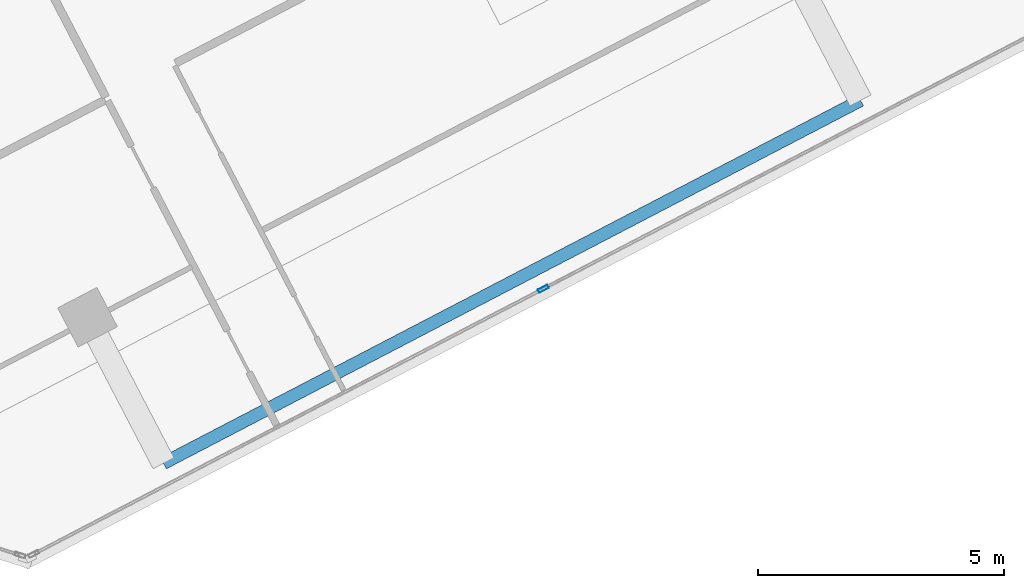
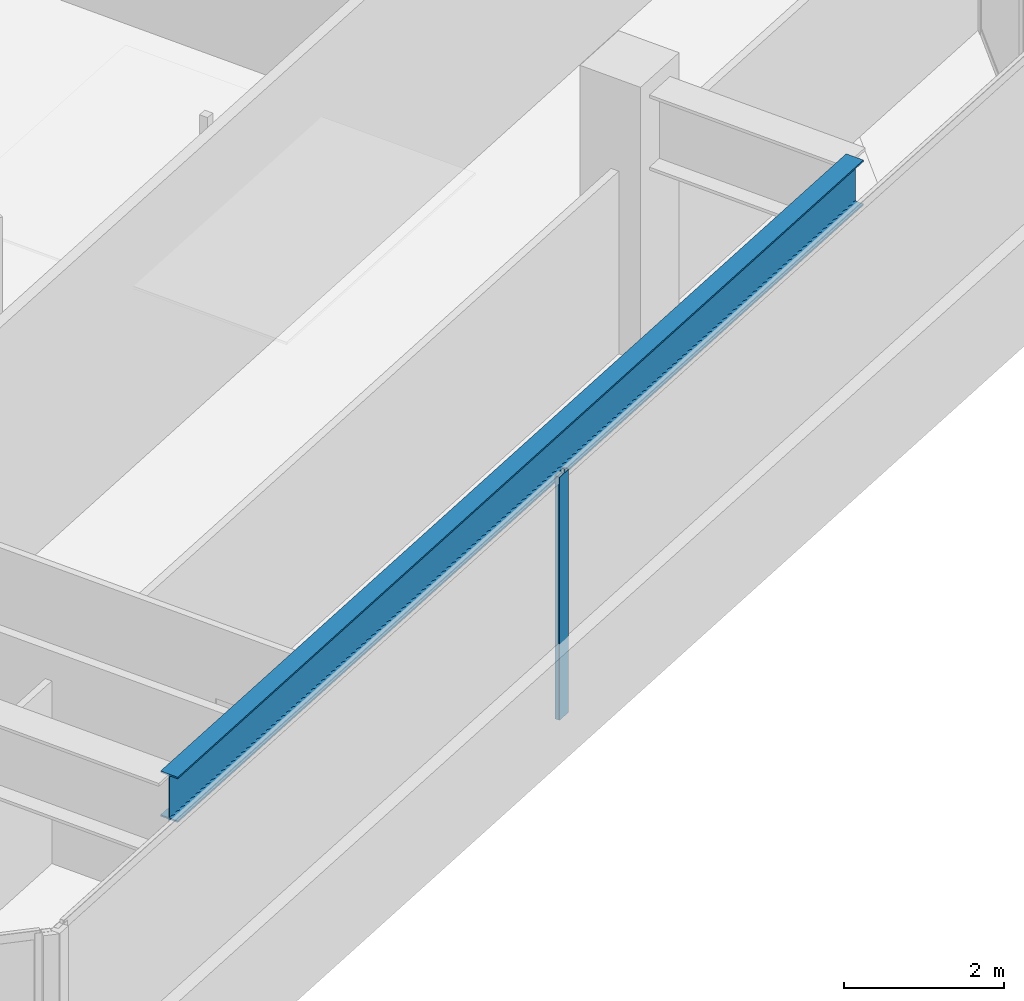
# One storey, part 4 of 16: 1 beam, 1 member, 1 element without a shape of its own.
"""IFC4 building model written with IfcOpenShell, lengths in metres."""

from ifc_helpers import new_model, si_unit, direction, frame, origin, origin_2d, place, context, subcontext, project, spatial, hollow_rectangle, i_section, extrude, source, transform, mapped, material, material_profile, profile_set, type_object, element, aggregate, save


model = new_model("IFC4")

# Units and contexts
model_context = context("Model", 3, precision=1e-05, world=origin(), true_north=direction((0.0, 1.0)))
body_context = subcontext(model_context, "Body", "Model", "MODEL_VIEW")
ifc_project = project(units=[si_unit("LENGTHUNIT", "METRE"), si_unit("AREAUNIT", "SQUARE_METRE"), si_unit("VOLUMEUNIT", "CUBIC_METRE"), si_unit("PLANEANGLEUNIT", "RADIAN"), si_unit("MASSUNIT", "GRAM", prefix="KILO")], contexts=[model_context])

# Site, building, storey
site_placement = place(None, origin())
site = spatial("IfcSite", under=ifc_project, at=site_placement, CompositionType="ELEMENT")
building_placement = place(site_placement, origin())
building = spatial("IfcBuilding", under=site, at=building_placement, Name="Torre Montelarca", CompositionType="ELEMENT")
storey_placement = place(building_placement, frame((0.0, 0.0, 328.199951171875)))
storey = spatial("IfcBuildingStorey", under=building, at=storey_placement, Name="L74", CompositionType="ELEMENT", Elevation=328.199951171875)

# Beam
ifc_material_1 = material(Name="Steel ASTM A992 Grade 50", Category="steel")
ifc_material_profile_1 = material_profile(ifc_material_1, i_section(OverallWidth=0.256103515625, OverallDepth=0.693115234375, WebThickness=0.014404296875, FlangeThickness=0.023681640625, FilletRadius=0.01806640625, at=origin_2d()), Name="W690X170", Category="steel")
ifc_profile_set_1 = profile_set([ifc_material_profile_1], Name="Steel ASTM A992 Grade 50")
beam_type = type_object("IfcBeamType", Name="BM-G-W690-EXT", PredefinedType="BEAM", material=ifc_profile_set_1)
shared_shape_1 = source(origin(), body_context, "Body", "SweptSolid", [
    extrude(i_section(OverallWidth=0.256103515625, OverallDepth=0.693115234375, WebThickness=0.014404296875, FlangeThickness=0.023681640625, FilletRadius=0.01806640625, at=origin_2d()), origin(), (0.0, 0.0, 1.0), 16.000244140625),
])
beam_placement = place(storey_placement, frame((22.64599609375, 12.472900390625, 3.614013671875), z_axis=(0.88701460653, 0.461741364622, 0.0), x_axis=(-0.461741364622, 0.88701460653, 0.0)))
element("IfcBeam", 1, at=beam_placement, inside=storey, type_object=beam_type, Name="L74 Sliding Tray Edge Girder East 24-40m (FLR)", PredefinedType="BEAM", context=body_context, shape_type="MappedRepresentation", body=[
    mapped(shared_shape_1, transform((0.0, 0.0, 0.0), scale=1.0)),
])

# Curtain wall, member
ifc_material_2 = material(Name="Insulated low-E laminated glass", Category="glass")
curtain_wall_type = type_object("IfcCurtainWallType", Name="CW-SYS-Z4", PredefinedType="USERDEFINED", material=ifc_material_2)
curtain_wall_placement = place(storey_placement, origin())
curtain_wall = element("IfcCurtainWall", 2, at=curtain_wall_placement, inside=storey, type_object=curtain_wall_type, Name="L74 Curtain Wall Run CW-T3-L74-E06-B1", ObjectType="UNITISED GLAZING", PredefinedType="USERDEFINED")
ifc_material_3 = material(Name="Anodised aluminium AA 6063-T6", Category="aluminium")
ifc_material_profile_2 = material_profile(ifc_material_3, hollow_rectangle(XDim=0.074951171875, YDim=0.219970703125, WallThickness=0.0048828125, InnerFilletRadius=0.0048828125, OuterFilletRadius=0.010009765625, at=origin_2d()), Name="ALU75X220X5", Category="aluminium")
ifc_profile_set_2 = profile_set([ifc_material_profile_2], Name="Anodised aluminium AA 6063-T6")
member_type = type_object("IfcMemberType", Name="CWM-ALU220", PredefinedType="MULLION", material=ifc_profile_set_2)
shared_shape_2 = source(origin(), body_context, "Body", "SweptSolid", [
    extrude(hollow_rectangle(XDim=0.074951171875, YDim=0.219970703125, WallThickness=0.0048828125, InnerFilletRadius=0.0048828125, OuterFilletRadius=0.010009765625, at=origin_2d()), origin(), (0.0, 0.0, 1.0), 3.719970703125),
])
member_placement = place(storey_placement, frame((30.379638671875, 16.025146484375, 0.0), z_axis=(0.0, 0.0, 1.0), x_axis=(-0.461745658928, 0.887012371087, 0.0)))
member = element("IfcMember", 3, at=member_placement, type_object=member_type, Name="CW mullion 2", PredefinedType="MULLION", context=body_context, shape_type="MappedRepresentation", body=[
    mapped(shared_shape_2, transform((0.0, 0.0, 0.0), scale=1.0)),
])
aggregate(curtain_wall, [member])

save(model, "model.ifc")
